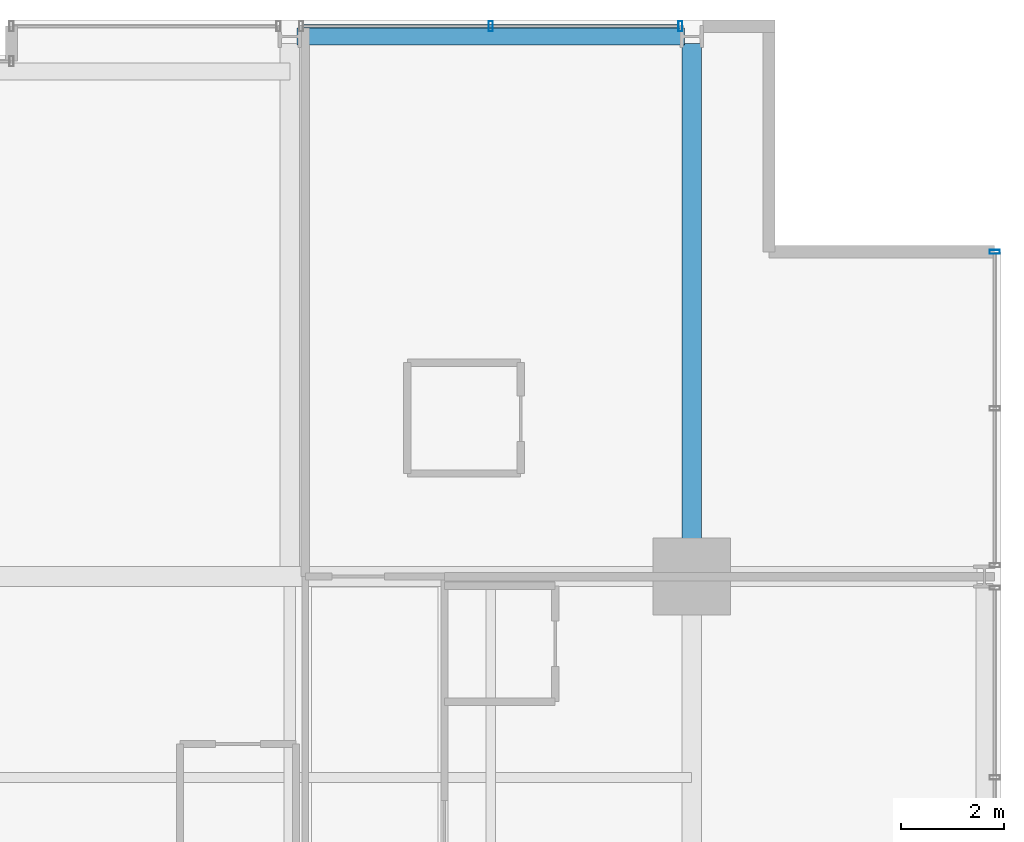
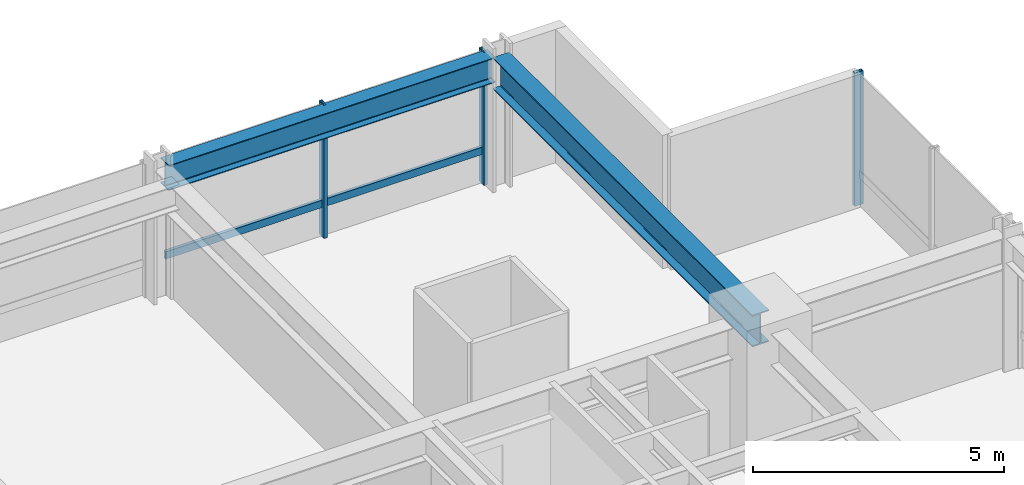
# One storey, part 26 of 33: 4 members, 2 beams, 2 elements without a shape of their own.
"""IFC4 building model written with IfcOpenShell, lengths in metres."""

from ifc_helpers import new_model, si_unit, direction, frame, origin, origin_2d, place, context, subcontext, project, spatial, hollow_rectangle, i_section, extrude, material, layer, layer_set, material_profile, profile_set, type_object, element, aggregate, save


model = new_model("IFC4")

# Units and contexts
model_context = context("Model", 3, precision=1e-05, world=origin(), true_north=direction((0.0, 1.0)))
body_context = subcontext(model_context, "Body", "Model", "MODEL_VIEW")
ifc_project = project(units=[si_unit("LENGTHUNIT", "METRE"), si_unit("AREAUNIT", "SQUARE_METRE"), si_unit("VOLUMEUNIT", "CUBIC_METRE"), si_unit("PLANEANGLEUNIT", "RADIAN"), si_unit("MASSUNIT", "GRAM", prefix="KILO")], contexts=[model_context])

# Site, building, storey
site_placement = place(None, origin())
site = spatial("IfcSite", under=ifc_project, at=site_placement, CompositionType="ELEMENT")
building_placement = place(site_placement, origin())
building = spatial("IfcBuilding", under=site, at=building_placement, Name="Drelvath Grand Hotel", CompositionType="ELEMENT")
storey_placement = place(building_placement, frame((0.0, 0.0, 105.800048828125)))
storey = spatial("IfcBuildingStorey", under=building, at=storey_placement, Name="L26", CompositionType="ELEMENT", Elevation=105.800048828125)

# Curtain wall, member
ifc_material_1 = material(Name="Champagne Bronze Anodised Aluminium Frame", Category="aluminium")
ifc_layer = layer(ifc_material_1, 0.199951171875)
ifc_layer_set = layer_set([ifc_layer], Name="Champagne Bronze Anodised Aluminium Frame")
curtain_wall_type = type_object("IfcCurtainWallType", Name="Stick Curtain Wall CW-03 Champagne Bronze Mid-Rise", PredefinedType="NOTDEFINED", material=ifc_layer_set)
curtain_wall_1_placement = place(storey_placement, origin())
curtain_wall_1 = element("IfcCurtainWall", 1, at=curtain_wall_1_placement, inside=storey, type_object=curtain_wall_type, Name="L26 CW-03 Curtain Wall CW03-L26-NE2", PredefinedType="NOTDEFINED")
ifc_material_profile_1 = material_profile(ifc_material_1, hollow_rectangle(XDim=0.074951171875, YDim=0.179931640625, WallThickness=0.0048828125, at=origin_2d()), Name="HSS180X75X5")
ifc_profile_set_1 = profile_set([ifc_material_profile_1], Name="Champagne Bronze Anodised Aluminium Frame")
member_type_1 = type_object("IfcMemberType", Name="Curtain Wall Horizontal Transom CW-03 HSS180X75X5", PredefinedType="USERDEFINED", material=ifc_profile_set_1)
member_1_placement = place(storey_placement, frame((8.65966796875, 53.8798828125, 0.81005859375), z_axis=(1.0, 0.0, 0.0), x_axis=(0.0, 1.0, 0.0)))
member_1 = element("IfcMember", 2, at=member_1_placement, type_object=member_type_1, Name="CW03-L26-NE2 Sill Transom", ObjectType="TRANSOM", PredefinedType="USERDEFINED", context=body_context, shape_type="SweptSolid", body=[
    extrude(hollow_rectangle(XDim=0.074951171875, YDim=0.179931640625, WallThickness=0.0048828125, at=origin_2d()), origin(), (0.0, 0.0, 1.0), 7.28076171875),
])

curtain_wall_2_placement = place(storey_placement, origin())
curtain_wall_2 = element("IfcCurtainWall", 3, at=curtain_wall_2_placement, inside=storey, type_object=curtain_wall_type, Name="L26 CW-03 Curtain Wall CW03-L26-EN3", PredefinedType="NOTDEFINED")
ifc_material_profile_2 = material_profile(ifc_material_1, hollow_rectangle(XDim=0.080078125, YDim=0.199951171875, WallThickness=0.0048828125, at=origin_2d()), Name="HSS200X80X5")
ifc_profile_set_2 = profile_set([ifc_material_profile_2], Name="Champagne Bronze Anodised Aluminium Frame")
member_type_2 = type_object("IfcMemberType", Name="Curtain Wall Vertical Mullion CW-03 HSS200X80X5", PredefinedType="MULLION", material=ifc_profile_set_2)
member_2_placement = place(storey_placement, frame((22.080078125, 49.5, 0.0), z_axis=(0.0, 0.0, 1.0), x_axis=(0.0, 1.0, 0.0)))
member_2 = element("IfcMember", 4, at=member_2_placement, type_object=member_type_2, Name="CW03-L26-EN3 Mullion 1", PredefinedType="MULLION", context=body_context, shape_type="SweptSolid", body=[
    extrude(hollow_rectangle(XDim=0.080078125, YDim=0.199951171875, WallThickness=0.0048828125, at=origin_2d()), origin(), (0.0, 0.0, 1.0), 3.239990234375),
])
aggregate(curtain_wall_2, [member_2])

# Member
member_3_placement = place(storey_placement, frame((12.300048828125, 53.8798828125, 0.0), z_axis=(0.0, 0.0, 1.0), x_axis=(1.0, 0.0, 0.0)))
member_3 = element("IfcMember", 5, at=member_3_placement, type_object=member_type_2, Name="CW03-L26-NE2 Mullion 2", PredefinedType="MULLION", context=body_context, shape_type="SweptSolid", body=[
    extrude(hollow_rectangle(XDim=0.080078125, YDim=0.199951171875, WallThickness=0.0048828125, at=origin_2d()), origin(), (0.0, 0.0, 1.0), 3.239990234375),
])

member_4_placement = place(storey_placement, frame((15.98046875, 53.8798828125, 0.0), z_axis=(0.0, 0.0, 1.0), x_axis=(1.0, 0.0, 0.0)))
member_4 = element("IfcMember", 6, at=member_4_placement, type_object=member_type_2, Name="CW03-L26-NE2 Mullion 3", PredefinedType="MULLION", context=body_context, shape_type="SweptSolid", body=[
    extrude(hollow_rectangle(XDim=0.080078125, YDim=0.199951171875, WallThickness=0.0048828125, at=origin_2d()), origin(), (0.0, 0.0, 1.0), 3.239990234375),
])

aggregate(curtain_wall_1, [member_3, member_4, member_1])

# Beams
ifc_material_2 = material(Name="Steel ASTM A992 Gr 50", Category="steel")
ifc_material_profile_3 = material_profile(ifc_material_2, i_section(OverallWidth=0.323974609375, OverallDepth=0.611083984375, WebThickness=0.0126953125, FlangeThickness=0.01904296875, FilletRadius=0.02197265625, at=origin_2d()), Name="W24X104")
ifc_profile_set_3 = profile_set([ifc_material_profile_3], Name="Steel ASTM A992 Gr 50")
beam_type_1 = type_object("IfcBeamType", Name="Perimeter Spandrel Beam W24X104", PredefinedType="SPANDREL", material=ifc_profile_set_3)
beam_1_placement = place(storey_placement, frame((8.5400390625, 53.679931640625, 2.9345703125), z_axis=(1.0, 0.0, 0.0), x_axis=(0.0, 1.0, 0.0)))
element("IfcBeam", 7, at=beam_1_placement, inside=storey, type_object=beam_type_1, Name="L26 Spandrel North E", PredefinedType="SPANDREL", context=body_context, shape_type="SweptSolid", body=[
    extrude(i_section(OverallWidth=0.323974609375, OverallDepth=0.611083984375, WebThickness=0.0126953125, FlangeThickness=0.01904296875, FilletRadius=0.02197265625, at=origin_2d()), origin(), (0.0, 0.0, 1.0), 7.52001953125),
])
ifc_material_profile_4 = material_profile(ifc_material_2, i_section(OverallWidth=0.380615234375, OverallDepth=0.773193359375, WebThickness=0.0166015625, FlangeThickness=0.027099609375, FilletRadius=0.02490234375, at=origin_2d()), Name="W30X173")
ifc_profile_set_4 = profile_set([ifc_material_profile_4], Name="Steel ASTM A992 Gr 50")
beam_type_2 = type_object("IfcBeamType", Name="Primary Floor Girder W30X173", PredefinedType="BEAM", material=ifc_profile_set_4)
beam_2_placement = place(storey_placement, frame((16.199951171875, 43.199951171875, 2.853271484375), z_axis=(0.0, 1.0, 0.0), x_axis=(-1.0, 0.0, 0.0)))
element("IfcBeam", 8, at=beam_2_placement, inside=storey, type_object=beam_type_2, Name="L26 North Grid Girder 7", PredefinedType="BEAM", context=body_context, shape_type="SweptSolid", body=[
    extrude(i_section(OverallWidth=0.380615234375, OverallDepth=0.773193359375, WebThickness=0.0166015625, FlangeThickness=0.027099609375, FilletRadius=0.02490234375, at=origin_2d()), origin(), (0.0, 0.0, 1.0), 10.340087890625),
])

save(model, "model.ifc")
